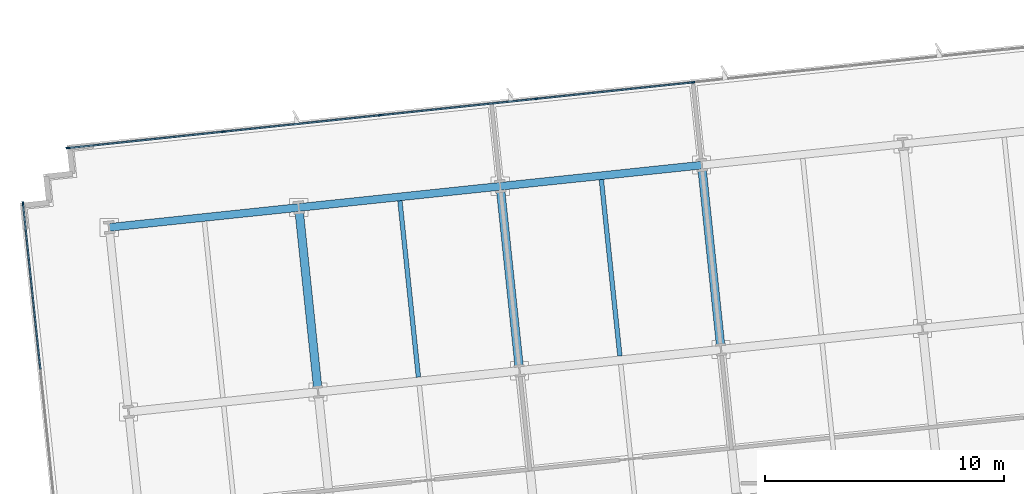
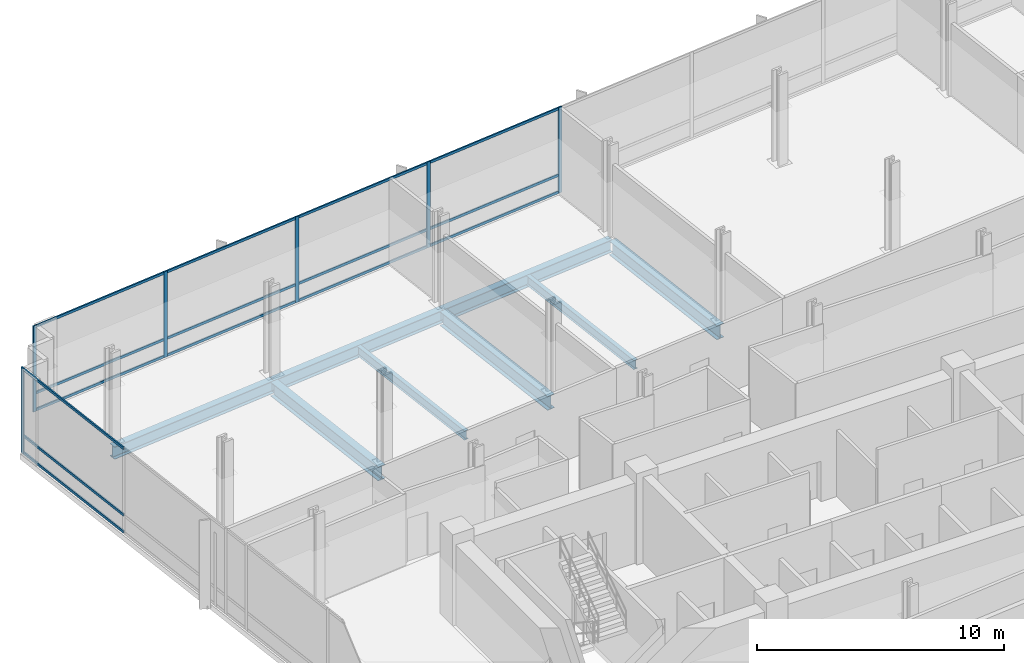
# One storey, part 9 of 20: 21 members, 8 beams, 2 elements without a shape of their own.
"""IFC4 building model written with IfcOpenShell, lengths in metres."""

from ifc_helpers import new_model, si_unit, direction, frame, origin, origin_2d, place, context, subcontext, project, spatial, rectangle, i_section, extrude, material, material_profile, profile_set, type_object, element, aggregate, save


model = new_model("IFC4")

# Units and contexts
model_context = context("Model", 3, precision=1e-05, world=origin(), true_north=direction((0.0, 1.0)))
body_context = subcontext(model_context, "Body", "Model", "MODEL_VIEW")
ifc_project = project(units=[si_unit("LENGTHUNIT", "METRE"), si_unit("AREAUNIT", "SQUARE_METRE"), si_unit("VOLUMEUNIT", "CUBIC_METRE"), si_unit("PLANEANGLEUNIT", "RADIAN"), si_unit("MASSUNIT", "GRAM", prefix="KILO")], contexts=[model_context])

# Site, building, storey
site_placement = place(None, origin())
site = spatial("IfcSite", under=ifc_project, at=site_placement, CompositionType="ELEMENT")
building_placement = place(site_placement, origin())
building = spatial("IfcBuilding", under=site, at=building_placement, Name="Solmavex Isthmus Hotel", CompositionType="ELEMENT")
storey_placement = place(building_placement, frame((0.0, 0.0, 97.35009765625)))
storey = spatial("IfcBuildingStorey", under=building, at=storey_placement, Name="L26", CompositionType="ELEMENT", Elevation=97.35009765625)

# Beams
ifc_material_1 = material(Name="Steel ASTM A992 Grade 50", Category="steel")
ifc_material_profile_1 = material_profile(ifc_material_1, i_section(OverallWidth=0.354736328125, OverallDepth=0.695556640625, WebThickness=0.015380859375, FlangeThickness=0.02490234375, FilletRadius=0.017822265625, at=origin_2d()), Name="W27X146")
ifc_profile_set_1 = profile_set([ifc_material_profile_1], Name="Steel ASTM A992 Grade 50")
beam_type_1 = type_object("IfcBeamType", Name="BM-BG-W27X146", PredefinedType="BEAM", material=ifc_profile_set_1)
for number, where, z_axis, x_axis, name in (
    (1, (-13.135498046875, 8.55859375, -0.60791015625), (-0.1045578893, 0.994518802128, 0.0), (-0.994518802128, -0.1045578893, 0.0), "Floor Beam L26-VG31"),
    (2, (-4.716064453125, 9.443603515625, -0.60791015625), (-0.104525307271, 0.994522227072, 0.0), (-0.994522227072, -0.104525307271, 0.0), "Floor Beam L26-VG35"),
):
    element("IfcBeam", number, at=place(storey_placement, frame(where, z_axis=z_axis, x_axis=x_axis)), inside=storey, type_object=beam_type_1, Name=name, PredefinedType="BEAM", context=body_context, shape_type="SweptSolid", body=[
        extrude(i_section(OverallWidth=0.354736328125, OverallDepth=0.695556640625, WebThickness=0.015380859375, FlangeThickness=0.02490234375, FilletRadius=0.017822265625, at=origin_2d()), origin(), (0.0, 0.0, 1.0), 7.4111328125),
    ])
beam_1_placement = place(storey_placement, frame((3.70361328125, 10.328369140625, -0.60791015625), z_axis=(-0.10452188296, 0.994522586964, 0.0), x_axis=(-0.994522586964, -0.10452188296, 0.0)))
element("IfcBeam", 3, at=beam_1_placement, inside=storey, type_object=beam_type_1, Name="Floor Beam L26-VG39", PredefinedType="BEAM", context=body_context, shape_type="SweptSolid", body=[
    extrude(i_section(OverallWidth=0.354736328125, OverallDepth=0.695556640625, WebThickness=0.015380859375, FlangeThickness=0.02490234375, FilletRadius=0.017822265625, at=origin_2d()), origin(), (0.0, 0.0, 1.0), 7.411376953125),
])
ifc_material_profile_2 = material_profile(ifc_material_1, i_section(OverallWidth=0.1904296875, OverallDepth=0.456787109375, WebThickness=0.009033203125, FlangeThickness=0.014404296875, FilletRadius=0.0126953125, at=origin_2d()), Name="W18X50")
ifc_profile_set_2 = profile_set([ifc_material_profile_2], Name="Steel ASTM A992 Grade 50")
beam_type_2 = type_object("IfcBeamType", Name="BM-BJ-W18X50", PredefinedType="JOIST", material=ifc_profile_set_2)
beam_2_placement = place(storey_placement, frame((-8.92578125, 9.0009765625, -0.488525390625), z_axis=(-0.10452188296, 0.994522586964, 0.0), x_axis=(-0.994522586964, -0.10452188296, 0.0)))
element("IfcBeam", 4, at=beam_2_placement, inside=storey, type_object=beam_type_2, Name="Secondary Floor Joist L26-J08", PredefinedType="JOIST", context=body_context, shape_type="SweptSolid", body=[
    extrude(i_section(OverallWidth=0.1904296875, OverallDepth=0.456787109375, WebThickness=0.009033203125, FlangeThickness=0.014404296875, FilletRadius=0.0126953125, at=origin_2d()), origin(), (0.0, 0.0, 1.0), 7.411376953125),
])
beam_3_placement = place(storey_placement, frame((-0.506103515625, 9.885986328125, -0.488525390625), z_axis=(-0.104525307271, 0.994522227072, 0.0), x_axis=(-0.994522227072, -0.104525307271, 0.0)))
element("IfcBeam", 5, at=beam_3_placement, inside=storey, type_object=beam_type_2, Name="Secondary Floor Joist L26-J12", PredefinedType="JOIST", context=body_context, shape_type="SweptSolid", body=[
    extrude(i_section(OverallWidth=0.1904296875, OverallDepth=0.456787109375, WebThickness=0.009033203125, FlangeThickness=0.014404296875, FilletRadius=0.0126953125, at=origin_2d()), origin(), (0.0, 0.0, 1.0), 7.4111328125),
])
ifc_material_profile_3 = material_profile(ifc_material_1, i_section(OverallWidth=0.326416015625, OverallDepth=0.621826171875, WebThickness=0.015380859375, FlangeThickness=0.0244140625, FilletRadius=0.01513671875, at=origin_2d()), Name="W24X131")
ifc_profile_set_3 = profile_set([ifc_material_profile_3], Name="Steel ASTM A992 Grade 50")
beam_type_3 = type_object("IfcBeamType", Name="BM-SP-W24X131", PredefinedType="SPANDREL", material=ifc_profile_set_3)
beam_4_placement = place(storey_placement, frame((-21.851806640625, 15.2587890625, -0.571044921875), z_axis=(0.994523402738, 0.104514120609, 0.0), x_axis=(-0.104514120609, 0.994523402738, 0.0)))
element("IfcBeam", 6, at=beam_4_placement, inside=storey, type_object=beam_type_3, Name="Floor Girder L26-UG19", PredefinedType="SPANDREL", context=body_context, shape_type="SweptSolid", body=[
    extrude(i_section(OverallWidth=0.326416015625, OverallDepth=0.621826171875, WebThickness=0.015380859375, FlangeThickness=0.0244140625, FilletRadius=0.01513671875, at=origin_2d()), origin(), (0.0, 0.0, 1.0), 7.968017578125),
])
for number, where, z_axis, x_axis, name in (
    (7, (-13.927490234375, 16.091552734375, -0.571044921875), (0.994521085209, 0.104536171134, 0.0), (-0.104536171134, 0.994521085209, 0.0), "Floor Girder L26-UG20"),
    (8, (-5.5078125, 16.9765625, -0.571044921875), (0.994521085209, 0.104536171134, 0.0), (-0.104536171134, 0.994521085209, 0.0), "Floor Girder L26-UG21"),
):
    element("IfcBeam", number, at=place(storey_placement, frame(where, z_axis=z_axis, x_axis=x_axis)), inside=storey, type_object=beam_type_3, Name=name, PredefinedType="SPANDREL", context=body_context, shape_type="SweptSolid", body=[
        extrude(i_section(OverallWidth=0.326416015625, OverallDepth=0.621826171875, WebThickness=0.015380859375, FlangeThickness=0.0244140625, FilletRadius=0.01513671875, at=origin_2d()), origin(), (0.0, 0.0, 1.0), 8.466064453125),
    ])

# Curtain wall, members
ifc_material_2 = material(Name="Aluminium alloy 6063-T6", Category="aluminium")
curtain_wall_type = type_object("IfcCurtainWallType", Name="CW-SYS-05", PredefinedType="NOTDEFINED", material=ifc_material_2)
curtain_wall_1_placement = place(storey_placement, origin())
curtain_wall_1 = element("IfcCurtainWall", 9, at=curtain_wall_1_placement, inside=storey, type_object=curtain_wall_type, Name="Stick Curtain Wall CWL-L26-N1", PredefinedType="NOTDEFINED")
ifc_material_profile_4 = material_profile(ifc_material_2, rectangle(XDim=0.06494140625, YDim=0.159912109375, at=origin_2d()), Name="CWM-65X160")
ifc_profile_set_4 = profile_set([ifc_material_profile_4], Name="Aluminium alloy 6063-T6")
member_type_1 = type_object("IfcMemberType", Name="CW-SYS-05-MUL", PredefinedType="MULLION", material=ifc_profile_set_4)
member_1_placement = place(storey_placement, frame((-23.575439453125, 18.57666015625, 0.0), z_axis=(0.0, 0.0, 1.0), x_axis=(-0.104528331835, 0.994521909182, 0.0)))
member_1 = element("IfcMember", 10, at=member_1_placement, type_object=member_type_1, Name="CW-05 mullion 1", PredefinedType="MULLION", context=body_context, shape_type="SweptSolid", body=[
    extrude(rectangle(XDim=0.06494140625, YDim=0.159912109375, at=origin_2d()), origin(), (0.0, 0.0, 1.0), 4.239990234375),
])
member_2_placement = place(storey_placement, frame((-17.06884765625, 19.2607421875, 0.0), z_axis=(0.0, 0.0, 1.0), x_axis=(-0.104528331835, 0.994521909182, 0.0)))
member_2 = element("IfcMember", 11, at=member_2_placement, type_object=member_type_1, Name="CW-05 mullion 2", PredefinedType="MULLION", context=body_context, shape_type="SweptSolid", body=[
    extrude(rectangle(XDim=0.06494140625, YDim=0.159912109375, at=origin_2d()), origin(), (0.0, 0.0, 1.0), 4.239990234375),
])
member_3_placement = place(storey_placement, frame((-10.52978515625, 19.947998046875, 0.0), z_axis=(0.0, 0.0, 1.0), x_axis=(-0.104528331835, 0.994521909182, 0.0)))
member_3 = element("IfcMember", 12, at=member_3_placement, type_object=member_type_1, Name="CW-05 mullion 3", PredefinedType="MULLION", context=body_context, shape_type="SweptSolid", body=[
    extrude(rectangle(XDim=0.06494140625, YDim=0.159912109375, at=origin_2d()), origin(), (0.0, 0.0, 1.0), 4.239990234375),
])
member_4_placement = place(storey_placement, frame((-3.990966796875, 20.63525390625, 0.0), z_axis=(0.0, 0.0, 1.0), x_axis=(-0.104528331835, 0.994521909182, 0.0)))
member_4 = element("IfcMember", 13, at=member_4_placement, type_object=member_type_1, Name="CW-05 mullion 4", PredefinedType="MULLION", context=body_context, shape_type="SweptSolid", body=[
    extrude(rectangle(XDim=0.06494140625, YDim=0.159912109375, at=origin_2d()), origin(), (0.0, 0.0, 1.0), 4.239990234375),
])
member_5_placement = place(storey_placement, frame((2.548095703125, 21.322509765625, 0.0), z_axis=(0.0, 0.0, 1.0), x_axis=(-0.104528331835, 0.994521909182, 0.0)))
member_5 = element("IfcMember", 14, at=member_5_placement, type_object=member_type_1, Name="CW-05 mullion 5", PredefinedType="MULLION", context=body_context, shape_type="SweptSolid", body=[
    extrude(rectangle(XDim=0.06494140625, YDim=0.159912109375, at=origin_2d()), origin(), (0.0, 0.0, 1.0), 4.239990234375),
])

# Curtain wall, member
curtain_wall_2_placement = place(storey_placement, origin())
curtain_wall_2 = element("IfcCurtainWall", 15, at=curtain_wall_2_placement, inside=storey, type_object=curtain_wall_type, Name="Stick Curtain Wall CWL-L26-W1", PredefinedType="NOTDEFINED")
member_6_placement = place(storey_placement, frame((-25.45556640625, 16.255126953125, 0.0), z_axis=(0.0, 0.0, 1.0), x_axis=(-0.994521893044, -0.104528485381, 0.0)))
member_6 = element("IfcMember", 16, at=member_6_placement, type_object=member_type_1, Name="CW-05 mullion 6", PredefinedType="MULLION", context=body_context, shape_type="SweptSolid", body=[
    extrude(rectangle(XDim=0.06494140625, YDim=0.159912109375, at=origin_2d()), origin(), (0.0, 0.0, 1.0), 4.239990234375),
])

# Member
ifc_material_profile_5 = material_profile(ifc_material_2, rectangle(XDim=0.06494140625, YDim=0.125, at=origin_2d()), Name="CWT-65X125")
ifc_profile_set_5 = profile_set([ifc_material_profile_5], Name="Aluminium alloy 6063-T6")
member_type_2 = type_object("IfcMemberType", Name="CW-SYS-05-TRN", PredefinedType="USERDEFINED", material=ifc_profile_set_5)
member_7_placement = place(storey_placement, frame((-23.543212890625, 18.580078125, 0.0625), z_axis=(0.994519487278, 0.10455137218, 0.0), x_axis=(-0.10455137218, 0.994519487278, 0.0)))
member_7 = element("IfcMember", 17, at=member_7_placement, type_object=member_type_2, Name="CW-05 transom 1.1", ObjectType="TRANSOM", PredefinedType="USERDEFINED", context=body_context, shape_type="SweptSolid", body=[
    extrude(rectangle(XDim=0.06494140625, YDim=0.125, at=origin_2d()), origin(), (0.0, 0.0, 1.0), 6.4775390625),
])

member_8_placement = place(storey_placement, frame((-23.543212890625, 18.580078125, 0.89990234375), z_axis=(0.994519487278, 0.10455137218, 0.0), x_axis=(-0.10455137218, 0.994519487278, 0.0)))
member_8 = element("IfcMember", 18, at=member_8_placement, type_object=member_type_2, Name="CW-05 transom 1.2", ObjectType="TRANSOM", PredefinedType="USERDEFINED", context=body_context, shape_type="SweptSolid", body=[
    extrude(rectangle(XDim=0.06494140625, YDim=0.125, at=origin_2d()), origin(), (0.0, 0.0, 1.0), 6.4775390625),
])

member_9_placement = place(storey_placement, frame((-23.543212890625, 18.580078125, 4.177490234375), z_axis=(0.994519487278, 0.10455137218, 0.0), x_axis=(-0.10455137218, 0.994519487278, 0.0)))
member_9 = element("IfcMember", 19, at=member_9_placement, type_object=member_type_2, Name="CW-05 transom 1.3", ObjectType="TRANSOM", PredefinedType="USERDEFINED", context=body_context, shape_type="SweptSolid", body=[
    extrude(rectangle(XDim=0.06494140625, YDim=0.125, at=origin_2d()), origin(), (0.0, 0.0, 1.0), 6.4775390625),
])

member_10_placement = place(storey_placement, frame((-17.03662109375, 19.26416015625, 0.0625), z_axis=(0.994522905893, 0.104518848325, 0.0), x_axis=(-0.104518848325, 0.994522905893, 0.0)))
member_10 = element("IfcMember", 20, at=member_10_placement, type_object=member_type_2, Name="CW-05 transom 2.1", ObjectType="TRANSOM", PredefinedType="USERDEFINED", context=body_context, shape_type="SweptSolid", body=[
    extrude(rectangle(XDim=0.06494140625, YDim=0.125, at=origin_2d()), origin(), (0.0, 0.0, 1.0), 6.510009765625),
])

member_11_placement = place(storey_placement, frame((-17.03662109375, 19.26416015625, 0.89990234375), z_axis=(0.994522905893, 0.104518848325, 0.0), x_axis=(-0.104518848325, 0.994522905893, 0.0)))
member_11 = element("IfcMember", 21, at=member_11_placement, type_object=member_type_2, Name="CW-05 transom 2.2", ObjectType="TRANSOM", PredefinedType="USERDEFINED", context=body_context, shape_type="SweptSolid", body=[
    extrude(rectangle(XDim=0.06494140625, YDim=0.125, at=origin_2d()), origin(), (0.0, 0.0, 1.0), 6.510009765625),
])

member_12_placement = place(storey_placement, frame((-17.03662109375, 19.26416015625, 4.177490234375), z_axis=(0.994522905893, 0.104518848325, 0.0), x_axis=(-0.104518848325, 0.994522905893, 0.0)))
member_12 = element("IfcMember", 22, at=member_12_placement, type_object=member_type_2, Name="CW-05 transom 2.3", ObjectType="TRANSOM", PredefinedType="USERDEFINED", context=body_context, shape_type="SweptSolid", body=[
    extrude(rectangle(XDim=0.06494140625, YDim=0.125, at=origin_2d()), origin(), (0.0, 0.0, 1.0), 6.510009765625),
])

member_13_placement = place(storey_placement, frame((-10.49755859375, 19.951416015625, 0.0625), z_axis=(0.994522905893, 0.104518848325, 0.0), x_axis=(-0.104518848325, 0.994522905893, 0.0)))
member_13 = element("IfcMember", 23, at=member_13_placement, type_object=member_type_2, Name="CW-05 transom 3.1", ObjectType="TRANSOM", PredefinedType="USERDEFINED", context=body_context, shape_type="SweptSolid", body=[
    extrude(rectangle(XDim=0.06494140625, YDim=0.125, at=origin_2d()), origin(), (0.0, 0.0, 1.0), 6.510009765625),
])

member_14_placement = place(storey_placement, frame((-10.49755859375, 19.951416015625, 0.89990234375), z_axis=(0.994522905893, 0.104518848325, 0.0), x_axis=(-0.104518848325, 0.994522905893, 0.0)))
member_14 = element("IfcMember", 24, at=member_14_placement, type_object=member_type_2, Name="CW-05 transom 3.2", ObjectType="TRANSOM", PredefinedType="USERDEFINED", context=body_context, shape_type="SweptSolid", body=[
    extrude(rectangle(XDim=0.06494140625, YDim=0.125, at=origin_2d()), origin(), (0.0, 0.0, 1.0), 6.510009765625),
])

member_15_placement = place(storey_placement, frame((-10.49755859375, 19.951416015625, 4.177490234375), z_axis=(0.994522905893, 0.104518848325, 0.0), x_axis=(-0.104518848325, 0.994522905893, 0.0)))
member_15 = element("IfcMember", 25, at=member_15_placement, type_object=member_type_2, Name="CW-05 transom 3.3", ObjectType="TRANSOM", PredefinedType="USERDEFINED", context=body_context, shape_type="SweptSolid", body=[
    extrude(rectangle(XDim=0.06494140625, YDim=0.125, at=origin_2d()), origin(), (0.0, 0.0, 1.0), 6.510009765625),
])

member_16_placement = place(storey_placement, frame((-3.95849609375, 20.638671875, 0.0625), z_axis=(0.994522905893, 0.104518848325, 0.0), x_axis=(-0.104518848325, 0.994522905893, 0.0)))
member_16 = element("IfcMember", 26, at=member_16_placement, type_object=member_type_2, Name="CW-05 transom 4.1", ObjectType="TRANSOM", PredefinedType="USERDEFINED", context=body_context, shape_type="SweptSolid", body=[
    extrude(rectangle(XDim=0.06494140625, YDim=0.125, at=origin_2d()), origin(), (0.0, 0.0, 1.0), 6.510009765625),
])

member_17_placement = place(storey_placement, frame((-3.95849609375, 20.638671875, 0.89990234375), z_axis=(0.994522905893, 0.104518848325, 0.0), x_axis=(-0.104518848325, 0.994522905893, 0.0)))
member_17 = element("IfcMember", 27, at=member_17_placement, type_object=member_type_2, Name="CW-05 transom 4.2", ObjectType="TRANSOM", PredefinedType="USERDEFINED", context=body_context, shape_type="SweptSolid", body=[
    extrude(rectangle(XDim=0.06494140625, YDim=0.125, at=origin_2d()), origin(), (0.0, 0.0, 1.0), 6.510009765625),
])

member_18_placement = place(storey_placement, frame((-3.95849609375, 20.638671875, 4.177490234375), z_axis=(0.994522905893, 0.104518848325, 0.0), x_axis=(-0.104518848325, 0.994522905893, 0.0)))
member_18 = element("IfcMember", 28, at=member_18_placement, type_object=member_type_2, Name="CW-05 transom 4.3", ObjectType="TRANSOM", PredefinedType="USERDEFINED", context=body_context, shape_type="SweptSolid", body=[
    extrude(rectangle(XDim=0.06494140625, YDim=0.125, at=origin_2d()), origin(), (0.0, 0.0, 1.0), 6.510009765625),
])

aggregate(curtain_wall_1, [member_1, member_2, member_3, member_4, member_5, member_7, member_8, member_9, member_10, member_11, member_12, member_13, member_14, member_15, member_16, member_17, member_18])

member_19_placement = place(storey_placement, frame((-24.728515625, 9.338134765625, 0.0625), z_axis=(-0.10453424226, 0.994521287955, 0.0), x_axis=(-0.994521287955, -0.10453424226, 0.0)))
member_19 = element("IfcMember", 29, at=member_19_placement, type_object=member_type_2, Name="CW-05 transom 5.1", ObjectType="TRANSOM", PredefinedType="USERDEFINED", context=body_context, shape_type="SweptSolid", body=[
    extrude(rectangle(XDim=0.06494140625, YDim=0.125, at=origin_2d()), origin(), (0.0, 0.0, 1.0), 6.92236328125),
])

member_20_placement = place(storey_placement, frame((-24.728515625, 9.338134765625, 0.89990234375), z_axis=(-0.10453424226, 0.994521287955, 0.0), x_axis=(-0.994521287955, -0.10453424226, 0.0)))
member_20 = element("IfcMember", 30, at=member_20_placement, type_object=member_type_2, Name="CW-05 transom 5.2", ObjectType="TRANSOM", PredefinedType="USERDEFINED", context=body_context, shape_type="SweptSolid", body=[
    extrude(rectangle(XDim=0.06494140625, YDim=0.125, at=origin_2d()), origin(), (0.0, 0.0, 1.0), 6.92236328125),
])

member_21_placement = place(storey_placement, frame((-24.728515625, 9.338134765625, 4.177490234375), z_axis=(-0.10453424226, 0.994521287955, 0.0), x_axis=(-0.994521287955, -0.10453424226, 0.0)))
member_21 = element("IfcMember", 31, at=member_21_placement, type_object=member_type_2, Name="CW-05 transom 5.3", ObjectType="TRANSOM", PredefinedType="USERDEFINED", context=body_context, shape_type="SweptSolid", body=[
    extrude(rectangle(XDim=0.06494140625, YDim=0.125, at=origin_2d()), origin(), (0.0, 0.0, 1.0), 6.92236328125),
])

aggregate(curtain_wall_2, [member_6, member_19, member_20, member_21])

save(model, "model.ifc")
